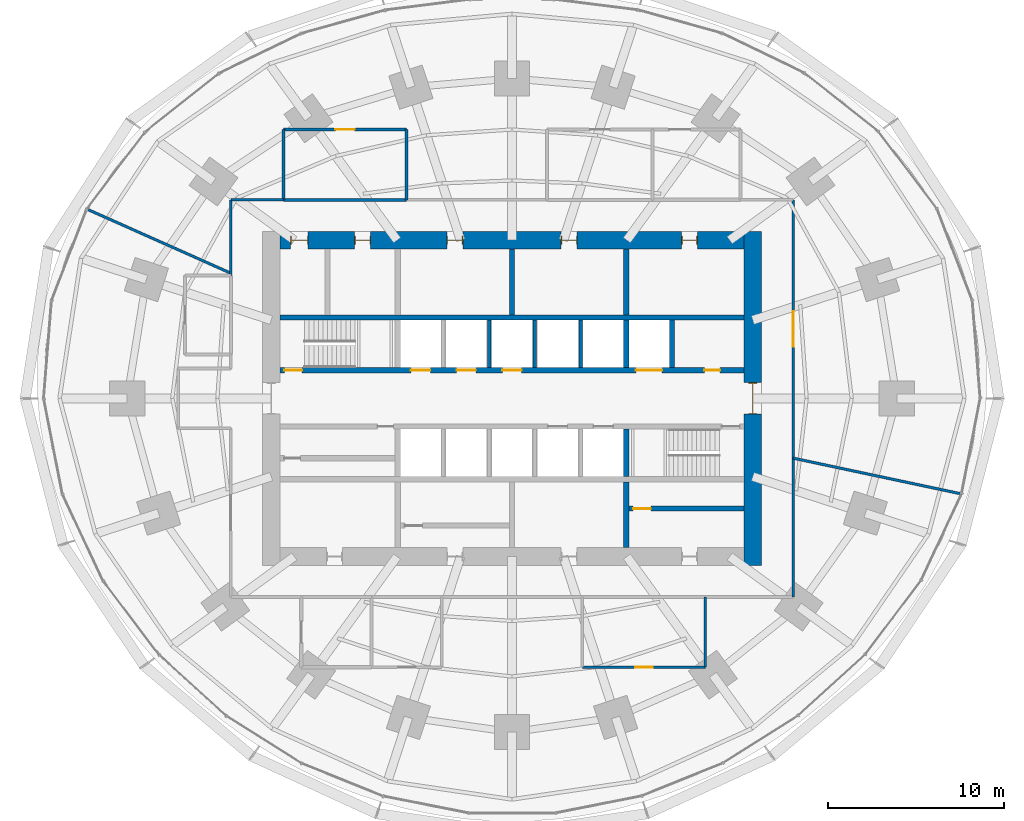
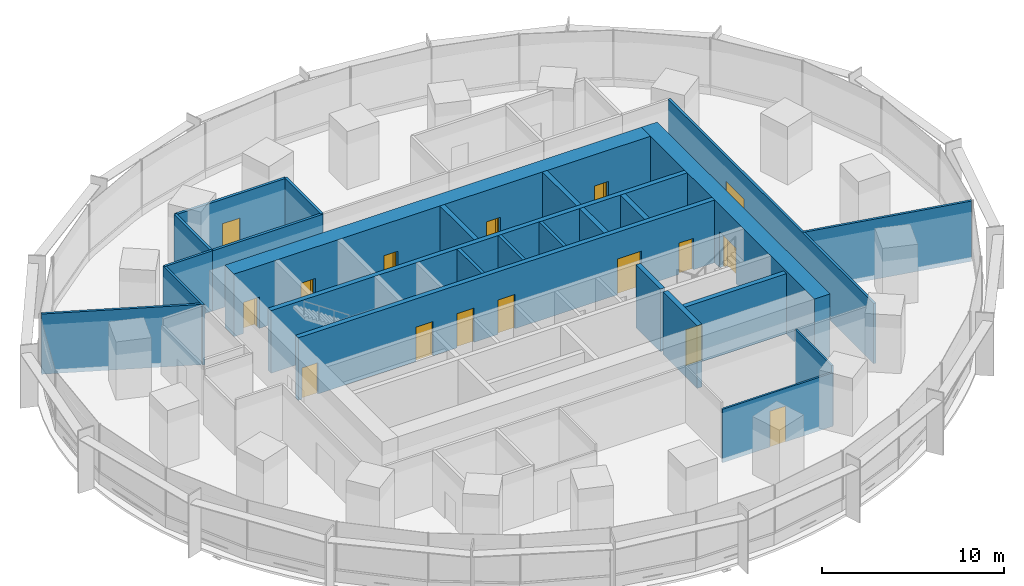
# One storey, part 12 of 15: 25 walls, 16 doors, 16 openings.
"""IFC4 building model written with IfcOpenShell, lengths in metres."""

import ifcopenshell
import ifcopenshell.guid

model = None  # the IFC model being written
_history = None  # IfcOwnerHistory: only IFC2X3 demands one
_inside = {}  # id of a spatial element -> (the spatial element, [elements in it])
_under = {}  # id of a project, library or spatial element -> (it, [spatial elements below it])
_declared = {}  # id of a project -> (the project, [libraries it declares])
_typed = {}  # id of a type object -> (the type object, [elements of that type])
_made_of = {}  # id of a material, layer set ... -> (it, [elements and type objects made of it])


def new_model(schema):
    """Start an empty IFC model of exactly this schema.

    Asked for "IFC4X3", IfcOpenShell would pick the latest addendum, in which some entities
    have other attributes; the version numbers below select the first issue.
    IFC2X3 requires an IfcOwnerHistory on every rooted entity: one is made here for all.
    """
    global model, _history
    if schema == "IFC4X3":
        model = ifcopenshell.file(schema_version=(4, 3, 0, 0))
    else:
        model = ifcopenshell.file(schema=schema)
    _inside.clear()
    _under.clear()
    _declared.clear()
    _typed.clear()
    _made_of.clear()
    _history = None
    if model.schema == "IFC2X3":
        org = make("IfcOrganization", Name="unknown")
        user = make(
            "IfcPersonAndOrganization",
            ThePerson=make("IfcPerson", FamilyName="unknown"),
            TheOrganization=org,
        )
        app = make(
            "IfcApplication",
            ApplicationDeveloper=org,
            Version="unknown",
            ApplicationFullName="unknown",
            ApplicationIdentifier="unknown",
        )
        _history = make(
            "IfcOwnerHistory",
            OwningUser=user,
            OwningApplication=app,
            ChangeAction="ADDED",
            CreationDate=0,
        )
    return model


def make(cls, **values):
    """One entity of the class cls with the attributes given. An attribute that is None is left unset."""
    return model.create_entity(
        cls, **{name: value for name, value in values.items() if value is not None}
    )


def rooted(cls, **values):
    """An entity with a GlobalId (a new one), such as an element, a storey or a relation."""
    return make(cls, GlobalId=ifcopenshell.guid.new(), OwnerHistory=_history, **values)


def si_unit(unit_type, name, prefix=None):
    """IfcSIUnit, for example si_unit("LENGTHUNIT", "METRE", prefix="MILLI")."""
    return make("IfcSIUnit", UnitType=unit_type, Prefix=prefix, Name=name)


def assignment(units):
    """IfcUnitAssignment: the units of a project."""
    return None if units is None else make("IfcUnitAssignment", Units=units)


def point(xyz):
    """IfcCartesianPoint."""
    return None if xyz is None else make("IfcCartesianPoint", Coordinates=xyz)


def direction(xyz):
    """IfcDirection."""
    return None if xyz is None else make("IfcDirection", DirectionRatios=xyz)


def frame(location, z_axis=None, x_axis=None):
    """IfcAxis2Placement3D, a coordinate frame: its origin and axes. An axis left out is left unset."""
    return make(
        "IfcAxis2Placement3D",
        Location=point(location),
        Axis=direction(z_axis),
        RefDirection=direction(x_axis),
    )


def frame_2d(location, x_axis=None):
    """IfcAxis2Placement2D, a coordinate frame in the plane: its origin and x axis."""
    return make(
        "IfcAxis2Placement2D", Location=point(location), RefDirection=direction(x_axis)
    )


def origin():
    """The frame at (0, 0, 0) with its axes left unset."""
    return frame((0.0, 0.0, 0.0))


def place(relative_to, where):
    """IfcLocalPlacement: puts the frame where relative to a parent placement (None: the world)."""
    return make(
        "IfcLocalPlacement", PlacementRelTo=relative_to, RelativePlacement=where
    )


def context(
    kind, dimensions, precision=None, world=None, true_north=None, identifier=None
):
    """IfcGeometricRepresentationContext, for example the 3D "Model" context."""
    return make(
        "IfcGeometricRepresentationContext",
        ContextIdentifier=identifier,
        ContextType=kind,
        CoordinateSpaceDimension=dimensions,
        Precision=precision,
        WorldCoordinateSystem=world,
        TrueNorth=true_north,
    )


def subcontext(parent, identifier, kind, view, scale=None):
    """IfcGeometricRepresentationSubContext, for example "Body" below "Model"."""
    return make(
        "IfcGeometricRepresentationSubContext",
        ContextIdentifier=identifier,
        ContextType=kind,
        ParentContext=parent,
        TargetScale=scale,
        TargetView=view,
    )


def project(units=None, contexts=None):
    """IfcProject with its units and contexts."""
    return rooted(
        "IfcProject",
        Name="project",
        RepresentationContexts=contexts,
        UnitsInContext=assignment(units),
    )


def spatial(cls, under=None, at=None, **own):
    """A site, building, storey or space (cls), placed at a placement, below another one or the project."""
    s = rooted(cls, ObjectPlacement=at, **own)
    if under is not None:
        _under.setdefault(under.id(), (under, []))[1].append(s)
    return s


def profile(cls, at=None, kind="AREA", **sizes):
    """A parametric profile (cls). Its sizes go by their IFC names, for example OverallWidth=200.0."""
    return make(cls, ProfileType=kind, Position=at, **sizes)


def rectangle(**sizes):
    """IfcRectangleProfileDef."""
    return profile("IfcRectangleProfileDef", **sizes)


def extrude(swept, where, along, depth):
    """IfcExtrudedAreaSolid: the profile swept, set in the frame where, extruded along a direction by depth."""
    return make(
        "IfcExtrudedAreaSolid",
        SweptArea=swept,
        Position=where,
        ExtrudedDirection=direction(along),
        Depth=depth,
    )


def shape(context_of_items, identifier, shape_type, items):
    """IfcShapeRepresentation: the items that make up one representation, for example the "Body"."""
    return make(
        "IfcShapeRepresentation",
        ContextOfItems=context_of_items,
        RepresentationIdentifier=identifier,
        RepresentationType=shape_type,
        Items=items,
    )


def material(Name=None, Category=None):
    """IfcMaterial."""
    return make("IfcMaterial", Name=Name, Category=Category)


def layer(
    of_material, thickness, ventilated=None, Name=None, Category=None, Priority=None
):
    """IfcMaterialLayer: one layer of a wall or slab, of a material (None: an air gap)."""
    return make(
        "IfcMaterialLayer",
        Material=of_material,
        LayerThickness=thickness,
        IsVentilated=ventilated,
        Name=Name,
        Category=Category,
        Priority=Priority,
    )


def layer_set(layers, Name=None):
    """IfcMaterialLayerSet."""
    return make("IfcMaterialLayerSet", MaterialLayers=layers, LayerSetName=Name)


def made_of(thing, what):
    """Note that an element or type object is made of a material, layer set ...; save() writes the relation."""
    if what is not None:
        _made_of.setdefault(what.id(), (what, []))[1].append(thing)
    return thing


def type_object(cls, material=None, **own):
    """A type object (cls), such as IfcWallType, which elements share."""
    return made_of(rooted(cls, **own), material)


def element(
    cls,
    number,
    at=None,
    inside=None,
    cuts=None,
    type_object=None,
    material=None,
    context=None,
    identifier="Body",
    shape_type=None,
    held_by="IfcProductDefinitionShape",
    body=None,
    shapes=None,
    **own,
):
    """One element of the class cls, such as IfcWall. Its Tag is "e" and its number.

    at: its placement. inside: the storey or other place that contains it. cuts: it is an
    opening in that element (IfcRelVoidsElement). A single representation is given by context,
    identifier, shape_type and body (its items); several are given by shapes. held_by: the class
    of the entity that holds the representations. save() writes the other relations.
    """
    e = rooted(cls, Tag="e%d" % number, ObjectPlacement=at, **own)
    if body is not None:
        shapes = [shape(context, identifier, shape_type, body)]
    if shapes is not None:
        e.Representation = make(held_by, Representations=shapes)
    if inside is not None:
        _inside.setdefault(inside.id(), (inside, []))[1].append(e)
    if cuts is not None:
        rooted(
            "IfcRelVoidsElement", RelatingBuildingElement=cuts, RelatedOpeningElement=e
        )
    if type_object is not None:
        _typed.setdefault(type_object.id(), (type_object, []))[1].append(e)
    return made_of(e, material)


def fill(opening, filler):
    """IfcRelFillsElement: the door or window that sits in an opening."""
    return rooted(
        "IfcRelFillsElement",
        RelatingOpeningElement=opening,
        RelatedBuildingElement=filler,
    )


def aggregate(whole, parts):
    """IfcRelAggregates: a whole, such as a stair, and the parts it consists of."""
    return rooted("IfcRelAggregates", RelatingObject=whole, RelatedObjects=parts)


def save(model, path):
    """Write the relations noted so far, then the file.

    IfcRelAggregates (storeys below a building ...), IfcRelContainedInSpatialStructure (elements
    in a storey), IfcRelDefinesByType, IfcRelAssociatesMaterial and IfcRelDeclares: one each for
    every whole, place, type object, material and project.
    """
    for whole, parts in _under.values():
        aggregate(whole, parts)
    for where, things in _inside.values():
        rooted(
            "IfcRelContainedInSpatialStructure",
            RelatedElements=things,
            RelatingStructure=where,
        )
    for kind, things in _typed.values():
        rooted("IfcRelDefinesByType", RelatedObjects=things, RelatingType=kind)
    for what, things in _made_of.values():
        rooted("IfcRelAssociatesMaterial", RelatedObjects=things, RelatingMaterial=what)
    for by, libraries in _declared.values():
        rooted("IfcRelDeclares", RelatingContext=by, RelatedDefinitions=libraries)
    model.write(path)


model = new_model("IFC4")

# Units and contexts
model_context = context("Model", 3, precision=1e-05, world=origin(), true_north=direction((0.0, 1.0)))
body_context = subcontext(model_context, "Body", "Model", "MODEL_VIEW")
ifc_project = project(units=[si_unit("LENGTHUNIT", "METRE"), si_unit("AREAUNIT", "SQUARE_METRE"), si_unit("VOLUMEUNIT", "CUBIC_METRE"), si_unit("PLANEANGLEUNIT", "RADIAN"), si_unit("MASSUNIT", "GRAM", prefix="KILO")], contexts=[model_context])

# Site, building, storey
site_placement = place(None, origin())
site = spatial("IfcSite", under=ifc_project, at=site_placement, CompositionType="ELEMENT")
building_placement = place(site_placement, origin())
building = spatial("IfcBuilding", under=site, at=building_placement, Name="Marramba Exchange Tower", CompositionType="ELEMENT")
storey_placement = place(building_placement, frame((0.0, 0.0, 36.39990234375)))
storey = spatial("IfcBuildingStorey", under=building, at=storey_placement, Name="L08", CompositionType="ELEMENT", Elevation=36.39990234375)

# Wall
ifc_material_1 = material(Name="Plasterboard on staggered double steel studs, acoustic insulation", Category="steel")
ifc_layer_1 = layer(ifc_material_1, 0.169921875)
ifc_layer_set_1 = layer_set([ifc_layer_1], Name="Acoustic partition 170")
wall_type_1 = type_object("IfcWallType", Name="Acoustic partition 170", PredefinedType="PARTITIONING", material=ifc_layer_set_1)
wall_1_placement = place(storey_placement, frame((-6.0, 11.300048828125, 0.0), z_axis=(0.0, 0.0, 1.0), x_axis=(0.0, 1.0, 0.0)))
element("IfcWall", 1, at=wall_1_placement, inside=storey, type_object=wall_type_1, Name="Acoustic partition L08 25", PredefinedType="PARTITIONING", context=body_context, shape_type="SweptSolid", body=[
    extrude(rectangle(XDim=4.0, YDim=0.169921875, at=frame_2d((2.0, 0.0))), origin(), (0.0, 0.0, 1.0), 4.0400390625),
])

# Wall, opening, door
wall_2_placement = place(storey_placement, frame((-6.0, 15.300048828125, 0.0), z_axis=(0.0, 0.0, 1.0), x_axis=(-1.0, 0.0, 0.0)))
wall_2 = element("IfcWall", 2, at=wall_2_placement, inside=storey, type_object=wall_type_1, Name="Acoustic partition L08 26", PredefinedType="PARTITIONING", context=body_context, shape_type="SweptSolid", body=[
    extrude(rectangle(XDim=7.0, YDim=0.169921875, at=frame_2d((3.5, 0.0))), origin(), (0.0, 0.0, 1.0), 4.0400390625),
])
opening_1_placement = place(wall_2_placement, frame((2.949951171875, 0.0, 0.0)))
opening_1 = element("IfcOpeningElement", 3, at=opening_1_placement, cuts=wall_2, Name="Opening D15", PredefinedType="OPENING", context=body_context, shape_type="SweptSolid", body=[
    extrude(rectangle(XDim=1.10009765625, YDim=2.39990234375, at=frame_2d((0.550048828125, 1.199951171875))), frame((0.0, 0.094970703125, 0.0), z_axis=(0.0, -1.0, 0.0), x_axis=(1.0, 0.0, 0.0)), (0.0, 0.0, 1.0), 0.18994140625),
])
ifc_material_2 = material(Name="Timber door", Category="wood")
door_type_1 = type_object("IfcDoorType", Name="Glazed meeting room door 1100x2400", OperationType="SINGLE_SWING_LEFT", PredefinedType="DOOR", material=ifc_material_2)
door_1_placement = place(opening_1_placement, origin())
door_1 = element("IfcDoor", 4, at=door_1_placement, inside=storey, type_object=door_type_1, Name="D15 Meeting Room 2 L08", OperationType="SINGLE_SWING_RIGHT", OverallHeight=2.39990234375, OverallWidth=1.10009765625, PredefinedType="DOOR", context=body_context, shape_type="SweptSolid", body=[
    extrude(rectangle(XDim=1.10009765625, YDim=2.39990234375, at=frame_2d((0.550048828125, 1.199951171875))), frame((0.0, 0.02490234375, 0.0), z_axis=(0.0, -1.0, 0.0), x_axis=(1.0, 0.0, 0.0)), (0.0, 0.0, 1.0), 0.050048828125),
])
fill(opening_1, door_1)

# Walls
wall_3_placement = place(storey_placement, frame((-13.0, 11.300048828125, 0.0), z_axis=(0.0, 0.0, 1.0), x_axis=(1.0, 0.0, 0.0)))
element("IfcWall", 5, at=wall_3_placement, inside=storey, type_object=wall_type_1, Name="Acoustic partition L08 27", PredefinedType="PARTITIONING", context=body_context, shape_type="SweptSolid", body=[
    extrude(rectangle(XDim=7.0, YDim=0.169921875, at=frame_2d((3.5, 0.0))), origin(), (0.0, 0.0, 1.0), 4.0400390625),
])
wall_4_placement = place(storey_placement, frame((-13.0, 15.300048828125, 0.0), z_axis=(0.0, 0.0, 1.0), x_axis=(0.0, -1.0, 0.0)))
element("IfcWall", 6, at=wall_4_placement, inside=storey, type_object=wall_type_1, Name="Acoustic partition L08 28", PredefinedType="PARTITIONING", context=body_context, shape_type="SweptSolid", body=[
    extrude(rectangle(XDim=4.0, YDim=0.169921875, at=frame_2d((2.0, 0.0))), origin(), (0.0, 0.0, 1.0), 4.0400390625),
])
ifc_material_3 = material(Name="Concrete N50", Category="concrete")
ifc_layer_2 = layer(ifc_material_3, 0.199951171875)
ifc_layer_set_2 = layer_set([ifc_layer_2], Name="Core shaft wall 200")
wall_type_2 = type_object("IfcWallType", Name="Core shaft wall 200", PredefinedType="SHEAR", material=ifc_layer_set_2)
for number, where, z_axis, x_axis, name in (
    (7, (-1.300048828125, 1.75, 0.0), (0.0, 0.0, 1.0), (0.0, 1.0, 0.0), "Core wall SHN2 L08"),
    (8, (1.300048828125, 1.75, 0.0), (0.0, 0.0, 1.0), (0.0, 1.0, 0.0), "Core wall SHN3 L08"),
    (9, (3.89990234375, 1.75, 0.0), (0.0, 0.0, 1.0), (0.0, 1.0, 0.0), "Core wall SHN4 L08"),
):
    element("IfcWall", number, at=place(storey_placement, frame(where, z_axis=z_axis, x_axis=x_axis)), inside=storey, type_object=wall_type_2, Name=name, PredefinedType="SHEAR", context=body_context, shape_type="SweptSolid", body=[
        extrude(rectangle(XDim=2.699951171875, YDim=0.199951171875, at=frame_2d((1.35009765625, 0.0))), origin(), (0.0, 0.0, 1.0), 4.2001953125),
    ])

# Wall, openings, doors
ifc_layer_3 = layer(ifc_material_3, 1.0)
ifc_layer_set_3 = layer_set([ifc_layer_3], Name="Core wall 1000")
wall_type_3 = type_object("IfcWallType", Name="Core wall 1000", PredefinedType="SHEAR", material=ifc_layer_set_3)
wall_5_placement = place(storey_placement, frame((13.199951171875, 9.0, 0.0), z_axis=(0.0, 0.0, 1.0), x_axis=(-1.0, 0.0, 0.0)))
wall_5 = element("IfcWall", 10, at=wall_5_placement, inside=storey, type_object=wall_type_3, Name="Core wall N L08", PredefinedType="SHEAR", context=body_context, shape_type="SweptSolid", body=[
    extrude(rectangle(XDim=26.39990234375, YDim=1.0, at=frame_2d((13.199951171875, 0.0))), origin(), (0.0, 0.0, 1.0), 4.2001953125),
])
opening_2_placement = place(wall_5_placement, frame((2.64990234375, 0.0, 0.0)))
opening_2 = element("IfcOpeningElement", 11, at=opening_2_placement, cuts=wall_5, Name="Opening D5", PredefinedType="OPENING", context=body_context, shape_type="SweptSolid", body=[
    extrude(rectangle(XDim=0.89990234375, YDim=2.10009765625, at=frame_2d((0.449951171875, 1.050048828125))), frame((0.0, 0.510009765625, 0.0), z_axis=(0.0, -1.0, 0.0), x_axis=(1.0, 0.0, 0.0)), (0.0, 0.0, 1.0), 1.02001953125),
])
opening_3_placement = place(wall_5_placement, frame((9.5, 0.0, 0.0)))
opening_3 = element("IfcOpeningElement", 12, at=opening_3_placement, cuts=wall_5, Name="Opening D3", PredefinedType="OPENING", context=body_context, shape_type="SweptSolid", body=[
    extrude(rectangle(XDim=0.89990234375, YDim=2.10009765625, at=frame_2d((0.449951171875, 1.050048828125))), frame((0.0, 0.510009765625, 0.0), z_axis=(0.0, -1.0, 0.0), x_axis=(1.0, 0.0, 0.0)), (0.0, 0.0, 1.0), 1.02001953125),
])
opening_4_placement = place(wall_5_placement, frame((16.0, 0.0, 0.0)))
opening_4 = element("IfcOpeningElement", 13, at=opening_4_placement, cuts=wall_5, Name="Opening D3", PredefinedType="OPENING", context=body_context, shape_type="SweptSolid", body=[
    extrude(rectangle(XDim=0.89990234375, YDim=2.10009765625, at=frame_2d((0.449951171875, 1.050048828125))), frame((0.0, 0.510009765625, 0.0), z_axis=(0.0, -1.0, 0.0), x_axis=(1.0, 0.0, 0.0)), (0.0, 0.0, 1.0), 1.02001953125),
])
opening_5_placement = place(wall_5_placement, frame((21.25, 0.0, 0.0)))
opening_5 = element("IfcOpeningElement", 14, at=opening_5_placement, cuts=wall_5, Name="Opening D5", PredefinedType="OPENING", context=body_context, shape_type="SweptSolid", body=[
    extrude(rectangle(XDim=0.89990234375, YDim=2.10009765625, at=frame_2d((0.449951171875, 1.050048828125))), frame((0.0, 0.510009765625, 0.0), z_axis=(0.0, -1.0, 0.0), x_axis=(1.0, 0.0, 0.0)), (0.0, 0.0, 1.0), 1.02001953125),
])
opening_6_placement = place(wall_5_placement, frame((24.800048828125, 0.0, 0.0)))
opening_6 = element("IfcOpeningElement", 15, at=opening_6_placement, cuts=wall_5, Name="Opening D4", PredefinedType="OPENING", context=body_context, shape_type="SweptSolid", body=[
    extrude(rectangle(XDim=1.0, YDim=2.10009765625, at=frame_2d((0.5, 1.050048828125))), frame((0.0, 0.510009765625, 0.0), z_axis=(0.0, -1.0, 0.0), x_axis=(1.0, 0.0, 0.0)), (0.0, 0.0, 1.0), 1.02001953125),
])
ifc_material_4 = material(Name="Steel-framed door", Category="steel")
door_type_2 = type_object("IfcDoorType", Name="Accessible toilet door 1000x2100", OperationType="SINGLE_SWING_LEFT", PredefinedType="DOOR", material=ifc_material_4)
door_2_placement = place(opening_6_placement, origin())
door_2 = element("IfcDoor", 16, at=door_2_placement, inside=storey, type_object=door_type_2, Name="D4 awc L08", OperationType="SINGLE_SWING_RIGHT", OverallHeight=2.10009765625, OverallWidth=1.0, PredefinedType="DOOR", context=body_context, shape_type="SweptSolid", body=[
    extrude(rectangle(XDim=0.919921875, YDim=2.06005859375, at=frame_2d((0.5, 1.030029296875))), frame((0.0, 0.02490234375, 0.0), z_axis=(0.0, -1.0, 0.0), x_axis=(1.0, 0.0, 0.0)), (0.0, 0.0, 1.0), 0.050048828125),
    extrude(rectangle(XDim=0.04, YDim=2.10009765625, at=frame_2d((0.02001953125, 1.050048828125))), frame((0.0, 0.25, 0.0), z_axis=(0.0, -1.0, 0.0), x_axis=(1.0, 0.0, 0.0)), (0.0, 0.0, 1.0), 0.5),
    extrude(rectangle(XDim=0.04, YDim=2.10009765625, at=frame_2d((0.97998046875, 1.050048828125))), frame((0.0, 0.25, 0.0), z_axis=(0.0, -1.0, 0.0), x_axis=(1.0, 0.0, 0.0)), (0.0, 0.0, 1.0), 0.5),
    extrude(rectangle(XDim=0.919921875, YDim=0.04, at=frame_2d((0.5, 2.080078125))), frame((0.0, 0.25, 0.0), z_axis=(0.0, -1.0, 0.0), x_axis=(1.0, 0.0, 0.0)), (0.0, 0.0, 1.0), 0.5),
])
fill(opening_6, door_2)
door_type_3 = type_object("IfcDoorType", Name="Service door 900x2100", OperationType="SINGLE_SWING_LEFT", PredefinedType="DOOR", material=ifc_material_4)
door_3_placement = place(opening_2_placement, origin())
door_3 = element("IfcDoor", 17, at=door_3_placement, inside=storey, type_object=door_type_3, Name="D5 comms L08", OperationType="SINGLE_SWING_LEFT", OverallHeight=2.10009765625, OverallWidth=0.89990234375, PredefinedType="DOOR", context=body_context, shape_type="SweptSolid", body=[
    extrude(rectangle(XDim=0.81982421875, YDim=2.06005859375, at=frame_2d((0.449951171875, 1.030029296875))), frame((0.0, 0.02490234375, 0.0), z_axis=(0.0, -1.0, 0.0), x_axis=(1.0, 0.0, 0.0)), (0.0, 0.0, 1.0), 0.050048828125),
    extrude(rectangle(XDim=0.04, YDim=2.10009765625, at=frame_2d((0.02001953125, 1.050048828125))), frame((0.0, 0.25, 0.0), z_axis=(0.0, -1.0, 0.0), x_axis=(1.0, 0.0, 0.0)), (0.0, 0.0, 1.0), 0.5),
    extrude(rectangle(XDim=0.04, YDim=2.10009765625, at=frame_2d((0.8798828125, 1.050048828125))), frame((0.0, 0.25, 0.0), z_axis=(0.0, -1.0, 0.0), x_axis=(1.0, 0.0, 0.0)), (0.0, 0.0, 1.0), 0.5),
    extrude(rectangle(XDim=0.81982421875, YDim=0.04, at=frame_2d((0.449951171875, 2.080078125))), frame((0.0, 0.25, 0.0), z_axis=(0.0, -1.0, 0.0), x_axis=(1.0, 0.0, 0.0)), (0.0, 0.0, 1.0), 0.5),
])
fill(opening_2, door_3)
door_4_placement = place(opening_5_placement, origin())
door_4 = element("IfcDoor", 18, at=door_4_placement, inside=storey, type_object=door_type_3, Name="D5 cleaner L08", OperationType="SINGLE_SWING_RIGHT", OverallHeight=2.10009765625, OverallWidth=0.89990234375, PredefinedType="DOOR", context=body_context, shape_type="SweptSolid", body=[
    extrude(rectangle(XDim=0.81982421875, YDim=2.06005859375, at=frame_2d((0.449951171875, 1.030029296875))), frame((0.0, 0.02490234375, 0.0), z_axis=(0.0, -1.0, 0.0), x_axis=(1.0, 0.0, 0.0)), (0.0, 0.0, 1.0), 0.050048828125),
    extrude(rectangle(XDim=0.04, YDim=2.10009765625, at=frame_2d((0.02001953125, 1.050048828125))), frame((0.0, 0.25, 0.0), z_axis=(0.0, -1.0, 0.0), x_axis=(1.0, 0.0, 0.0)), (0.0, 0.0, 1.0), 0.5),
    extrude(rectangle(XDim=0.04, YDim=2.10009765625, at=frame_2d((0.8798828125, 1.050048828125))), frame((0.0, 0.25, 0.0), z_axis=(0.0, -1.0, 0.0), x_axis=(1.0, 0.0, 0.0)), (0.0, 0.0, 1.0), 0.5),
    extrude(rectangle(XDim=0.81982421875, YDim=0.04, at=frame_2d((0.449951171875, 2.080078125))), frame((0.0, 0.25, 0.0), z_axis=(0.0, -1.0, 0.0), x_axis=(1.0, 0.0, 0.0)), (0.0, 0.0, 1.0), 0.5),
])
fill(opening_5, door_4)
door_type_4 = type_object("IfcDoorType", Name="Toilet door 900x2100", OperationType="SINGLE_SWING_LEFT", PredefinedType="DOOR", material=ifc_material_4)
door_5_placement = place(opening_3_placement, origin())
door_5 = element("IfcDoor", 19, at=door_5_placement, inside=storey, type_object=door_type_4, Name="D3 wc-f L08", OperationType="SINGLE_SWING_RIGHT", OverallHeight=2.10009765625, OverallWidth=0.89990234375, PredefinedType="DOOR", context=body_context, shape_type="SweptSolid", body=[
    extrude(rectangle(XDim=0.81982421875, YDim=2.06005859375, at=frame_2d((0.449951171875, 1.030029296875))), frame((0.0, 0.02490234375, 0.0), z_axis=(0.0, -1.0, 0.0), x_axis=(1.0, 0.0, 0.0)), (0.0, 0.0, 1.0), 0.050048828125),
    extrude(rectangle(XDim=0.04, YDim=2.10009765625, at=frame_2d((0.02001953125, 1.050048828125))), frame((0.0, 0.25, 0.0), z_axis=(0.0, -1.0, 0.0), x_axis=(1.0, 0.0, 0.0)), (0.0, 0.0, 1.0), 0.5),
    extrude(rectangle(XDim=0.04, YDim=2.10009765625, at=frame_2d((0.8798828125, 1.050048828125))), frame((0.0, 0.25, 0.0), z_axis=(0.0, -1.0, 0.0), x_axis=(1.0, 0.0, 0.0)), (0.0, 0.0, 1.0), 0.5),
    extrude(rectangle(XDim=0.81982421875, YDim=0.04, at=frame_2d((0.449951171875, 2.080078125))), frame((0.0, 0.25, 0.0), z_axis=(0.0, -1.0, 0.0), x_axis=(1.0, 0.0, 0.0)), (0.0, 0.0, 1.0), 0.5),
])
fill(opening_3, door_5)
door_6_placement = place(opening_4_placement, origin())
door_6 = element("IfcDoor", 20, at=door_6_placement, inside=storey, type_object=door_type_4, Name="D3 wc-m L08", OperationType="SINGLE_SWING_RIGHT", OverallHeight=2.10009765625, OverallWidth=0.89990234375, PredefinedType="DOOR", context=body_context, shape_type="SweptSolid", body=[
    extrude(rectangle(XDim=0.81982421875, YDim=2.06005859375, at=frame_2d((0.449951171875, 1.030029296875))), frame((0.0, 0.02490234375, 0.0), z_axis=(0.0, -1.0, 0.0), x_axis=(1.0, 0.0, 0.0)), (0.0, 0.0, 1.0), 0.050048828125),
    extrude(rectangle(XDim=0.04, YDim=2.10009765625, at=frame_2d((0.02001953125, 1.050048828125))), frame((0.0, 0.25, 0.0), z_axis=(0.0, -1.0, 0.0), x_axis=(1.0, 0.0, 0.0)), (0.0, 0.0, 1.0), 0.5),
    extrude(rectangle(XDim=0.04, YDim=2.10009765625, at=frame_2d((0.8798828125, 1.050048828125))), frame((0.0, 0.25, 0.0), z_axis=(0.0, -1.0, 0.0), x_axis=(1.0, 0.0, 0.0)), (0.0, 0.0, 1.0), 0.5),
    extrude(rectangle(XDim=0.81982421875, YDim=0.04, at=frame_2d((0.449951171875, 2.080078125))), frame((0.0, 0.25, 0.0), z_axis=(0.0, -1.0, 0.0), x_axis=(1.0, 0.0, 0.0)), (0.0, 0.0, 1.0), 0.5),
])
fill(opening_4, door_6)

# Wall, opening, door
wall_6_placement = place(storey_placement, frame((13.699951171875, -9.5, 0.0), z_axis=(0.0, 0.0, 1.0), x_axis=(0.0, 1.0, 0.0)))
wall_6 = element("IfcWall", 21, at=wall_6_placement, inside=storey, type_object=wall_type_3, Name="Core wall E L08", PredefinedType="SHEAR", context=body_context, shape_type="SweptSolid", body=[
    extrude(rectangle(XDim=19.0, YDim=1.0, at=frame_2d((9.5, 0.0))), origin(), (0.0, 0.0, 1.0), 4.2001953125),
])
opening_7_placement = place(wall_6_placement, frame((8.60009765625, 0.0, 0.0)))
opening_7 = element("IfcOpeningElement", 22, at=opening_7_placement, cuts=wall_6, Name="Opening D1", PredefinedType="OPENING", context=body_context, shape_type="SweptSolid", body=[
    extrude(rectangle(XDim=1.800048828125, YDim=2.39990234375, at=frame_2d((0.89990234375, 1.199951171875))), frame((0.0, 0.510009765625, 0.0), z_axis=(0.0, -1.0, 0.0), x_axis=(1.0, 0.0, 0.0)), (0.0, 0.0, 1.0), 1.02001953125),
])
door_type_5 = type_object("IfcDoorType", Name="Lobby exit door 1800x2400", OperationType="DOUBLE_DOOR_SINGLE_SWING", PredefinedType="DOOR", material=ifc_material_4)
door_7_placement = place(opening_7_placement, origin())
door_7 = element("IfcDoor", 23, at=door_7_placement, inside=storey, type_object=door_type_5, Name="D1 lobby exit east L08", OperationType="DOUBLE_DOOR_SINGLE_SWING", OverallHeight=2.39990234375, OverallWidth=1.800048828125, PredefinedType="DOOR", context=body_context, shape_type="SweptSolid", body=[
    extrude(rectangle(XDim=1.719970703125, YDim=2.35986328125, at=frame_2d((0.89990234375, 1.179931640625))), frame((0.0, 0.02490234375, 0.0), z_axis=(0.0, -1.0, 0.0), x_axis=(1.0, 0.0, 0.0)), (0.0, 0.0, 1.0), 0.050048828125),
    extrude(rectangle(XDim=0.04, YDim=2.39990234375, at=frame_2d((0.02001953125, 1.199951171875))), frame((0.0, 0.25, 0.0), z_axis=(0.0, -1.0, 0.0), x_axis=(1.0, 0.0, 0.0)), (0.0, 0.0, 1.0), 0.5),
    extrude(rectangle(XDim=0.04, YDim=2.39990234375, at=frame_2d((1.780029296875, 1.199951171875))), frame((0.0, 0.25, 0.0), z_axis=(0.0, -1.0, 0.0), x_axis=(1.0, 0.0, 0.0)), (0.0, 0.0, 1.0), 0.5),
    extrude(rectangle(XDim=1.719970703125, YDim=0.04, at=frame_2d((0.89990234375, 2.3798828125))), frame((0.0, 0.25, 0.0), z_axis=(0.0, -1.0, 0.0), x_axis=(1.0, 0.0, 0.0)), (0.0, 0.0, 1.0), 0.5),
])
fill(opening_7, door_7)

# Wall, openings, doors
ifc_layer_4 = layer(ifc_material_3, 0.300048828125)
ifc_layer_set_4 = layer_set([ifc_layer_4], Name="Core wall 300")
wall_type_4 = type_object("IfcWallType", Name="Core wall 300", PredefinedType="SHEAR", material=ifc_layer_set_4)
wall_7_placement = place(storey_placement, frame((-13.199951171875, 1.60009765625, 0.0), z_axis=(0.0, 0.0, 1.0), x_axis=(1.0, 0.0, 0.0)))
wall_7 = element("IfcWall", 24, at=wall_7_placement, inside=storey, type_object=wall_type_4, Name="Core wall LN L08", PredefinedType="SHEAR", context=body_context, shape_type="SweptSolid", body=[
    extrude(rectangle(XDim=26.39990234375, YDim=0.300048828125, at=frame_2d((13.199951171875, 0.0))), origin(), (0.0, 0.0, 1.0), 4.2001953125),
])
opening_8_placement = place(wall_7_placement, frame((0.25, 0.0, 0.0)))
opening_8 = element("IfcOpeningElement", 25, at=opening_8_placement, cuts=wall_7, Name="Opening D2", PredefinedType="OPENING", context=body_context, shape_type="SweptSolid", body=[
    extrude(rectangle(XDim=1.0, YDim=2.10009765625, at=frame_2d((0.5, 1.050048828125))), frame((0.0, 0.159912109375, 0.0), z_axis=(0.0, -1.0, 0.0), x_axis=(1.0, 0.0, 0.0)), (0.0, 0.0, 1.0), 0.320068359375),
])
opening_9_placement = place(wall_7_placement, frame((20.25, 0.0, 0.0)))
opening_9 = element("IfcOpeningElement", 26, at=opening_9_placement, cuts=wall_7, Name="Opening LD3", PredefinedType="OPENING", context=body_context, shape_type="SweptSolid", body=[
    extrude(rectangle(XDim=1.5, YDim=2.39990234375, at=frame_2d((0.75, 1.199951171875))), frame((0.0, 0.159912109375, 0.0), z_axis=(0.0, -1.0, 0.0), x_axis=(1.0, 0.0, 0.0)), (0.0, 0.0, 1.0), 0.320068359375),
])
opening_10_placement = place(wall_7_placement, frame((7.449951171875, 0.0, 0.0)))
opening_10 = element("IfcOpeningElement", 27, at=opening_10_placement, cuts=wall_7, Name="Opening LD1", PredefinedType="OPENING", context=body_context, shape_type="SweptSolid", body=[
    extrude(rectangle(XDim=1.10009765625, YDim=2.300048828125, at=frame_2d((0.550048828125, 1.14990234375))), frame((0.0, 0.159912109375, 0.0), z_axis=(0.0, -1.0, 0.0), x_axis=(1.0, 0.0, 0.0)), (0.0, 0.0, 1.0), 0.320068359375),
])
opening_11_placement = place(wall_7_placement, frame((10.050048828125, 0.0, 0.0)))
opening_11 = element("IfcOpeningElement", 28, at=opening_11_placement, cuts=wall_7, Name="Opening LD1", PredefinedType="OPENING", context=body_context, shape_type="SweptSolid", body=[
    extrude(rectangle(XDim=1.10009765625, YDim=2.300048828125, at=frame_2d((0.550048828125, 1.14990234375))), frame((0.0, 0.159912109375, 0.0), z_axis=(0.0, -1.0, 0.0), x_axis=(1.0, 0.0, 0.0)), (0.0, 0.0, 1.0), 0.320068359375),
])
opening_12_placement = place(wall_7_placement, frame((12.64990234375, 0.0, 0.0)))
opening_12 = element("IfcOpeningElement", 29, at=opening_12_placement, cuts=wall_7, Name="Opening LD1", PredefinedType="OPENING", context=body_context, shape_type="SweptSolid", body=[
    extrude(rectangle(XDim=1.10009765625, YDim=2.300048828125, at=frame_2d((0.550048828125, 1.14990234375))), frame((0.0, 0.159912109375, 0.0), z_axis=(0.0, -1.0, 0.0), x_axis=(1.0, 0.0, 0.0)), (0.0, 0.0, 1.0), 0.320068359375),
])
opening_13_placement = place(wall_7_placement, frame((24.14990234375, 0.0, 0.0)))
opening_13 = element("IfcOpeningElement", 30, at=opening_13_placement, cuts=wall_7, Name="Opening D5", PredefinedType="OPENING", context=body_context, shape_type="SweptSolid", body=[
    extrude(rectangle(XDim=0.89990234375, YDim=2.10009765625, at=frame_2d((0.449951171875, 1.050048828125))), frame((0.0, 0.159912109375, 0.0), z_axis=(0.0, -1.0, 0.0), x_axis=(1.0, 0.0, 0.0)), (0.0, 0.0, 1.0), 0.320068359375),
])
door_type_6 = type_object("IfcDoorType", Name="Goods lift landing door 1500x2400", OperationType="SLIDING_TO_LEFT", PredefinedType="DOOR", material=ifc_material_4)
door_8_placement = place(opening_9_placement, origin())
door_8 = element("IfcDoor", 31, at=door_8_placement, inside=storey, type_object=door_type_6, Name="GL1 landing door L08", OperationType="SLIDING_TO_LEFT", OverallHeight=2.39990234375, OverallWidth=1.5, PredefinedType="DOOR", context=body_context, shape_type="SweptSolid", body=[
    extrude(rectangle(XDim=1.5, YDim=2.39990234375, at=frame_2d((0.75, 1.199951171875))), frame((0.0, 0.02490234375, 0.0), z_axis=(0.0, -1.0, 0.0), x_axis=(1.0, 0.0, 0.0)), (0.0, 0.0, 1.0), 0.050048828125),
])
fill(opening_9, door_8)
door_type_7 = type_object("IfcDoorType", Name="Lift landing door 1100x2300", OperationType="SLIDING_TO_LEFT", PredefinedType="DOOR", material=ifc_material_4)
door_9_placement = place(opening_10_placement, origin())
door_9 = element("IfcDoor", 32, at=door_9_placement, inside=storey, type_object=door_type_7, Name="LA1 landing door L08", OperationType="SLIDING_TO_LEFT", OverallHeight=2.300048828125, OverallWidth=1.10009765625, PredefinedType="DOOR", context=body_context, shape_type="SweptSolid", body=[
    extrude(rectangle(XDim=1.10009765625, YDim=2.300048828125, at=frame_2d((0.550048828125, 1.14990234375))), frame((0.0, 0.02490234375, 0.0), z_axis=(0.0, -1.0, 0.0), x_axis=(1.0, 0.0, 0.0)), (0.0, 0.0, 1.0), 0.050048828125),
])
fill(opening_10, door_9)
door_10_placement = place(opening_11_placement, origin())
door_10 = element("IfcDoor", 33, at=door_10_placement, inside=storey, type_object=door_type_7, Name="LA2 landing door L08", OperationType="SLIDING_TO_LEFT", OverallHeight=2.300048828125, OverallWidth=1.10009765625, PredefinedType="DOOR", context=body_context, shape_type="SweptSolid", body=[
    extrude(rectangle(XDim=1.10009765625, YDim=2.300048828125, at=frame_2d((0.550048828125, 1.14990234375))), frame((0.0, 0.02490234375, 0.0), z_axis=(0.0, -1.0, 0.0), x_axis=(1.0, 0.0, 0.0)), (0.0, 0.0, 1.0), 0.050048828125),
])
fill(opening_11, door_10)
door_11_placement = place(opening_12_placement, origin())
door_11 = element("IfcDoor", 34, at=door_11_placement, inside=storey, type_object=door_type_7, Name="LA3 landing door L08", OperationType="SLIDING_TO_RIGHT", OverallHeight=2.300048828125, OverallWidth=1.10009765625, PredefinedType="DOOR", context=body_context, shape_type="SweptSolid", body=[
    extrude(rectangle(XDim=1.10009765625, YDim=2.300048828125, at=frame_2d((0.550048828125, 1.14990234375))), frame((0.0, 0.02490234375, 0.0), z_axis=(0.0, -1.0, 0.0), x_axis=(1.0, 0.0, 0.0)), (0.0, 0.0, 1.0), 0.050048828125),
])
fill(opening_12, door_11)
door_12_placement = place(opening_13_placement, origin())
door_12 = element("IfcDoor", 35, at=door_12_placement, inside=storey, type_object=door_type_3, Name="D5 riser L08", OperationType="SINGLE_SWING_RIGHT", OverallHeight=2.10009765625, OverallWidth=0.89990234375, PredefinedType="DOOR", context=body_context, shape_type="SweptSolid", body=[
    extrude(rectangle(XDim=0.89990234375, YDim=2.10009765625, at=frame_2d((0.449951171875, 1.050048828125))), frame((0.0, 0.02490234375, 0.0), z_axis=(0.0, -1.0, 0.0), x_axis=(1.0, 0.0, 0.0)), (0.0, 0.0, 1.0), 0.050048828125),
])
fill(opening_13, door_12)
door_type_8 = type_object("IfcDoorType", Name="Stair door 1000x2100", OperationType="SINGLE_SWING_LEFT", PredefinedType="DOOR", material=ifc_material_4)
door_13_placement = place(opening_8_placement, origin())
door_13 = element("IfcDoor", 36, at=door_13_placement, inside=storey, type_object=door_type_8, Name="D2 stair ST1 L08", OperationType="SINGLE_SWING_LEFT", OverallHeight=2.10009765625, OverallWidth=1.0, PredefinedType="DOOR", context=body_context, shape_type="SweptSolid", body=[
    extrude(rectangle(XDim=1.0, YDim=2.10009765625, at=frame_2d((0.5, 1.050048828125))), frame((0.0, 0.02490234375, 0.0), z_axis=(0.0, -1.0, 0.0), x_axis=(1.0, 0.0, 0.0)), (0.0, 0.0, 1.0), 0.050048828125),
])
fill(opening_8, door_13)

# Walls
wall_8_placement = place(storey_placement, frame((-13.199951171875, 4.60009765625, 0.0), z_axis=(0.0, 0.0, 1.0), x_axis=(1.0, 0.0, 0.0)))
element("IfcWall", 37, at=wall_8_placement, inside=storey, type_object=wall_type_4, Name="Core wall BN L08", PredefinedType="SHEAR", context=body_context, shape_type="SweptSolid", body=[
    extrude(rectangle(XDim=26.39990234375, YDim=0.300048828125, at=frame_2d((13.199951171875, 0.0))), origin(), (0.0, 0.0, 1.0), 4.2001953125),
])
wall_9_placement = place(storey_placement, frame((6.5, 1.75, 0.0), z_axis=(0.0, 0.0, 1.0), x_axis=(0.0, 1.0, 0.0)))
element("IfcWall", 38, at=wall_9_placement, inside=storey, type_object=wall_type_4, Name="Core wall X1Na L08", PredefinedType="SHEAR", context=body_context, shape_type="SweptSolid", body=[
    extrude(rectangle(XDim=2.699951171875, YDim=0.300048828125, at=frame_2d((1.35009765625, 0.0))), origin(), (0.0, 0.0, 1.0), 4.2001953125),
])
for number, where, z_axis, x_axis, name in (
    (39, (6.5, 4.75, 0.0), (0.0, 0.0, 1.0), (0.0, 1.0, 0.0), "Core wall X1Nb L08"),
    (40, (0.0, 4.75, 0.0), (0.0, 0.0, 1.0), (0.0, 1.0, 0.0), "Core wall MN L08"),
):
    element("IfcWall", number, at=place(storey_placement, frame(where, z_axis=z_axis, x_axis=x_axis)), inside=storey, type_object=wall_type_4, Name=name, PredefinedType="SHEAR", context=body_context, shape_type="SweptSolid", body=[
        extrude(rectangle(XDim=3.75, YDim=0.300048828125, at=frame_2d((1.875, 0.0))), origin(), (0.0, 0.0, 1.0), 4.2001953125),
    ])
wall_10_placement = place(storey_placement, frame((6.5, -1.75, 0.0), z_axis=(0.0, 0.0, 1.0), x_axis=(0.0, -1.0, 0.0)))
element("IfcWall", 41, at=wall_10_placement, inside=storey, type_object=wall_type_4, Name="Core wall X1Sa L08", PredefinedType="SHEAR", context=body_context, shape_type="SweptSolid", body=[
    extrude(rectangle(XDim=2.699951171875, YDim=0.300048828125, at=frame_2d((1.35009765625, 0.0))), origin(), (0.0, 0.0, 1.0), 4.2001953125),
])
wall_11_placement = place(storey_placement, frame((6.5, -4.75, 0.0), z_axis=(0.0, 0.0, 1.0), x_axis=(0.0, -1.0, 0.0)))
element("IfcWall", 42, at=wall_11_placement, inside=storey, type_object=wall_type_4, Name="Core wall X1Sb L08", PredefinedType="SHEAR", context=body_context, shape_type="SweptSolid", body=[
    extrude(rectangle(XDim=3.75, YDim=0.300048828125, at=frame_2d((1.875, 0.0))), origin(), (0.0, 0.0, 1.0), 4.2001953125),
])
wall_12_placement = place(storey_placement, frame((9.10009765625, 1.75, 0.0), z_axis=(0.0, 0.0, 1.0), x_axis=(0.0, 1.0, 0.0)))
element("IfcWall", 43, at=wall_12_placement, inside=storey, type_object=wall_type_4, Name="Core wall ED L08", PredefinedType="SHEAR", context=body_context, shape_type="SweptSolid", body=[
    extrude(rectangle(XDim=2.699951171875, YDim=0.300048828125, at=frame_2d((1.35009765625, 0.0))), origin(), (0.0, 0.0, 1.0), 4.2001953125),
])

# Wall, opening, door
ifc_material_5 = material(Name="Plasterboard on steel studs", Category="steel")
ifc_layer_5 = layer(ifc_material_5, 0.1201171875)
ifc_layer_set_5 = layer_set([ifc_layer_5], Name="Partition 120")
wall_type_5 = type_object("IfcWallType", Name="Partition 120", PredefinedType="PARTITIONING", material=ifc_layer_set_5)
wall_13_placement = place(storey_placement, frame((4.0, -15.300048828125, 0.0), z_axis=(0.0, 0.0, 1.0), x_axis=(1.0, 0.0, 0.0)))
wall_13 = element("IfcWall", 44, at=wall_13_placement, inside=storey, type_object=wall_type_5, Name="Partition L08 12", PredefinedType="PARTITIONING", context=body_context, shape_type="SweptSolid", body=[
    extrude(rectangle(XDim=7.0, YDim=0.1201171875, at=frame_2d((3.5, 0.0))), origin(), (0.0, 0.0, 1.0), 3.586181640625),
])
opening_14_placement = place(wall_13_placement, frame((3.0, 0.0, 0.0)))
opening_14 = element("IfcOpeningElement", 45, at=opening_14_placement, cuts=wall_13, Name="Opening D9", PredefinedType="OPENING", context=body_context, shape_type="SweptSolid", body=[
    extrude(rectangle(XDim=1.0, YDim=2.39990234375, at=frame_2d((0.5, 1.199951171875))), frame((0.0, 0.070068359375, 0.0), z_axis=(0.0, -1.0, 0.0), x_axis=(1.0, 0.0, 0.0)), (0.0, 0.0, 1.0), 0.14013671875),
])
door_type_9 = type_object("IfcDoorType", Name="Room door 1000x2400", OperationType="SINGLE_SWING_LEFT", PredefinedType="DOOR", material=ifc_material_2)
door_14_placement = place(opening_14_placement, origin())
door_14 = element("IfcDoor", 46, at=door_14_placement, inside=storey, type_object=door_type_9, Name="D9 Pantry L08", OperationType="SINGLE_SWING_RIGHT", OverallHeight=2.39990234375, OverallWidth=1.0, PredefinedType="DOOR", context=body_context, shape_type="SweptSolid", body=[
    extrude(rectangle(XDim=1.0, YDim=2.39990234375, at=frame_2d((0.5, 1.199951171875))), frame((0.0, 0.02490234375, 0.0), z_axis=(0.0, -1.0, 0.0), x_axis=(1.0, 0.0, 0.0)), (0.0, 0.0, 1.0), 0.050048828125),
])
fill(opening_14, door_14)

# Wall
wall_14_placement = place(storey_placement, frame((11.0, -15.300048828125, 0.0), z_axis=(0.0, 0.0, 1.0), x_axis=(0.0, 1.0, 0.0)))
element("IfcWall", 47, at=wall_14_placement, inside=storey, type_object=wall_type_5, Name="Partition L08 13", PredefinedType="PARTITIONING", context=body_context, shape_type="SweptSolid", body=[
    extrude(rectangle(XDim=4.0, YDim=0.1201171875, at=frame_2d((2.0, 0.0))), origin(), (0.0, 0.0, 1.0), 4.0400390625),
])

# Wall, opening, door
ifc_material_6 = material(Name="Plasterboard on steel studs, insulated, unrated", Category="steel")
ifc_layer_6 = layer(ifc_material_6, 0.300048828125)
ifc_layer_set_6 = layer_set([ifc_layer_6], Name="Store partition 300")
wall_type_6 = type_object("IfcWallType", Name="Store partition 300", PredefinedType="PARTITIONING", material=ifc_layer_set_6)
wall_15_placement = place(storey_placement, frame((6.64990234375, -6.27197265625, 0.0), z_axis=(0.0, 0.0, 1.0), x_axis=(1.0, 0.0, 0.0)))
wall_15 = element("IfcWall", 48, at=wall_15_placement, inside=storey, type_object=wall_type_6, Name="Store partition L08 cstore", PredefinedType="PARTITIONING", context=body_context, shape_type="SweptSolid", body=[
    extrude(rectangle(XDim=6.550048828125, YDim=0.300048828125, at=frame_2d((3.27490234375, 0.0))), origin(), (0.0, 0.0, 1.0), 4.0400390625),
])
opening_15_placement = place(wall_15_placement, frame((0.25, 0.0, 0.0)))
opening_15 = element("IfcOpeningElement", 49, at=opening_15_placement, cuts=wall_15, Name="Opening D9", PredefinedType="OPENING", context=body_context, shape_type="SweptSolid", body=[
    extrude(rectangle(XDim=1.0, YDim=2.39990234375, at=frame_2d((0.5, 1.199951171875))), frame((0.0, 0.159912109375, 0.0), z_axis=(0.0, -1.0, 0.0), x_axis=(1.0, 0.0, 0.0)), (0.0, 0.0, 1.0), 0.320068359375),
])
door_15_placement = place(opening_15_placement, origin())
door_15 = element("IfcDoor", 50, at=door_15_placement, inside=storey, type_object=door_type_9, Name="D9 general store L08", OperationType="SINGLE_SWING_LEFT", OverallHeight=2.39990234375, OverallWidth=1.0, PredefinedType="DOOR", context=body_context, shape_type="SweptSolid", body=[
    extrude(rectangle(XDim=1.0, YDim=2.39990234375, at=frame_2d((0.5, 1.199951171875))), frame((0.0, 0.02490234375, 0.0), z_axis=(0.0, -1.0, 0.0), x_axis=(1.0, 0.0, 0.0)), (0.0, 0.0, 1.0), 0.050048828125),
])
fill(opening_15, door_15)

# Wall
ifc_material_7 = material(Name="Fire-rated plasterboard on steel studs, acoustic insulation", Category="steel")
ifc_layer_7 = layer(ifc_material_7, 0.14990234375)
ifc_layer_set_7 = layer_set([ifc_layer_7], Name="Tenancy wall 150")
wall_type_7 = type_object("IfcWallType", Name="Tenancy wall 150", PredefinedType="PARTITIONING", material=ifc_layer_set_7)
wall_16_placement = place(storey_placement, frame((25.50634765625, -5.421630859375, 0.0), z_axis=(0.0, 0.0, 1.0), x_axis=(-0.978145186273, 0.207923049637, 0.0)))
element("IfcWall", 51, at=wall_16_placement, inside=storey, type_object=wall_type_7, Name="Tenancy wall L08 14", PredefinedType="PARTITIONING", context=body_context, shape_type="SweptSolid", body=[
    extrude(rectangle(XDim=9.71875, YDim=0.14990234375, at=frame_2d((4.859375, 0.0))), origin(), (0.0, 0.0, 1.0), 4.0400390625),
])

# Wall, opening, door
wall_17_placement = place(storey_placement, frame((16.0, -11.300048828125, 0.0), z_axis=(0.0, 0.0, 1.0), x_axis=(0.0, 1.0, 0.0)))
wall_17 = element("IfcWall", 52, at=wall_17_placement, inside=storey, type_object=wall_type_7, Name="Tenancy wall L08 15", PredefinedType="PARTITIONING", context=body_context, shape_type="SweptSolid", body=[
    extrude(rectangle(XDim=22.60009765625, YDim=0.14990234375, at=frame_2d((11.300048828125, 0.0))), origin(), (0.0, 0.0, 1.0), 4.0400390625),
])
opening_16_placement = place(wall_17_placement, frame((14.25, 0.0, 0.0)))
opening_16 = element("IfcOpeningElement", 53, at=opening_16_placement, cuts=wall_17, Name="Opening D17", PredefinedType="OPENING", context=body_context, shape_type="SweptSolid", body=[
    extrude(rectangle(XDim=2.0, YDim=2.39990234375, at=frame_2d((1.0, 1.199951171875))), frame((0.0, 0.0849609375, 0.0), z_axis=(0.0, -1.0, 0.0), x_axis=(1.0, 0.0, 0.0)), (0.0, 0.0, 1.0), 0.169921875),
])
door_type_10 = type_object("IfcDoorType", Name="Trading floor entry door pair 2000x2400", OperationType="DOUBLE_DOOR_SINGLE_SWING", PredefinedType="DOOR", material=ifc_material_4)
door_16_placement = place(opening_16_placement, origin())
door_16 = element("IfcDoor", 54, at=door_16_placement, inside=storey, type_object=door_type_10, Name="D17 Trading Floor 1 L08", OperationType="DOUBLE_DOOR_SINGLE_SWING", OverallHeight=2.39990234375, OverallWidth=2.0, PredefinedType="DOOR", context=body_context, shape_type="SweptSolid", body=[
    extrude(rectangle(XDim=2.0, YDim=2.39990234375, at=frame_2d((1.0, 1.199951171875))), frame((0.0, 0.02490234375, 0.0), z_axis=(0.0, -1.0, 0.0), x_axis=(1.0, 0.0, 0.0)), (0.0, 0.0, 1.0), 0.050048828125),
])
fill(opening_16, door_16)

# Walls
wall_18_placement = place(storey_placement, frame((-13.0, 11.300048828125, 0.0), z_axis=(0.0, 0.0, 1.0), x_axis=(-1.0, 0.0, 0.0)))
element("IfcWall", 55, at=wall_18_placement, inside=storey, type_object=wall_type_7, Name="Tenancy wall L08 29", PredefinedType="PARTITIONING", context=body_context, shape_type="SweptSolid", body=[
    extrude(rectangle(XDim=3.0, YDim=0.14990234375, at=frame_2d((1.5, 0.0))), origin(), (0.0, 0.0, 1.0), 4.0400390625),
])
wall_19_placement = place(storey_placement, frame((-16.0, 11.300048828125, 0.0), z_axis=(0.0, 0.0, 1.0), x_axis=(0.0, -1.0, 0.0)))
element("IfcWall", 56, at=wall_19_placement, inside=storey, type_object=wall_type_7, Name="Tenancy wall L08 30", PredefinedType="PARTITIONING", context=body_context, shape_type="SweptSolid", body=[
    extrude(rectangle(XDim=4.300048828125, YDim=0.14990234375, at=frame_2d((2.14990234375, 0.0))), origin(), (0.0, 0.0, 1.0), 4.0400390625),
])
wall_20_placement = place(storey_placement, frame((-16.0, 7.123779296875, 0.0), z_axis=(0.0, 0.0, 1.0), x_axis=(-0.913550959064, 0.406724286457, 0.0)))
element("IfcWall", 57, at=wall_20_placement, inside=storey, type_object=wall_type_7, Name="Tenancy wall L08 31", PredefinedType="PARTITIONING", context=body_context, shape_type="SweptSolid", body=[
    extrude(rectangle(XDim=8.892333984375, YDim=0.14990234375, at=frame_2d((4.4462890625, 0.0))), origin(), (0.0, 0.0, 1.0), 4.0400390625),
])

save(model, "model.ifc")
